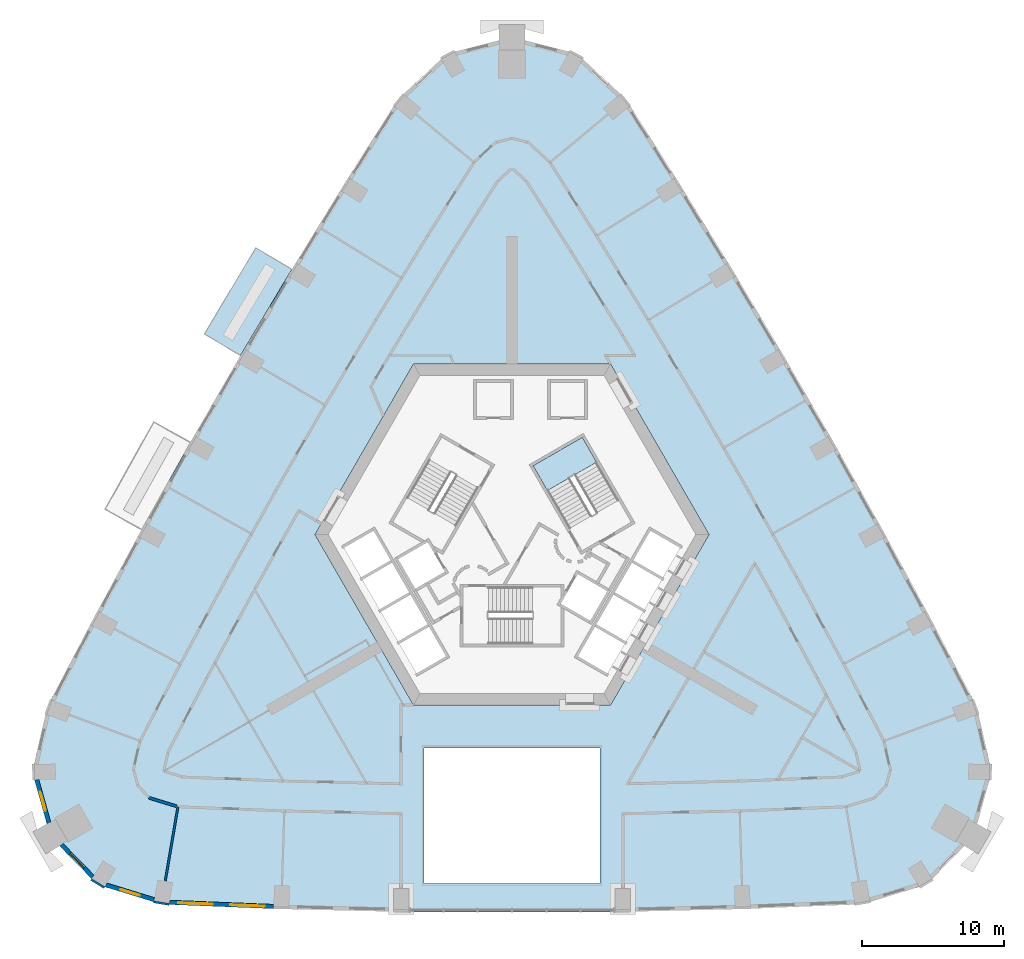
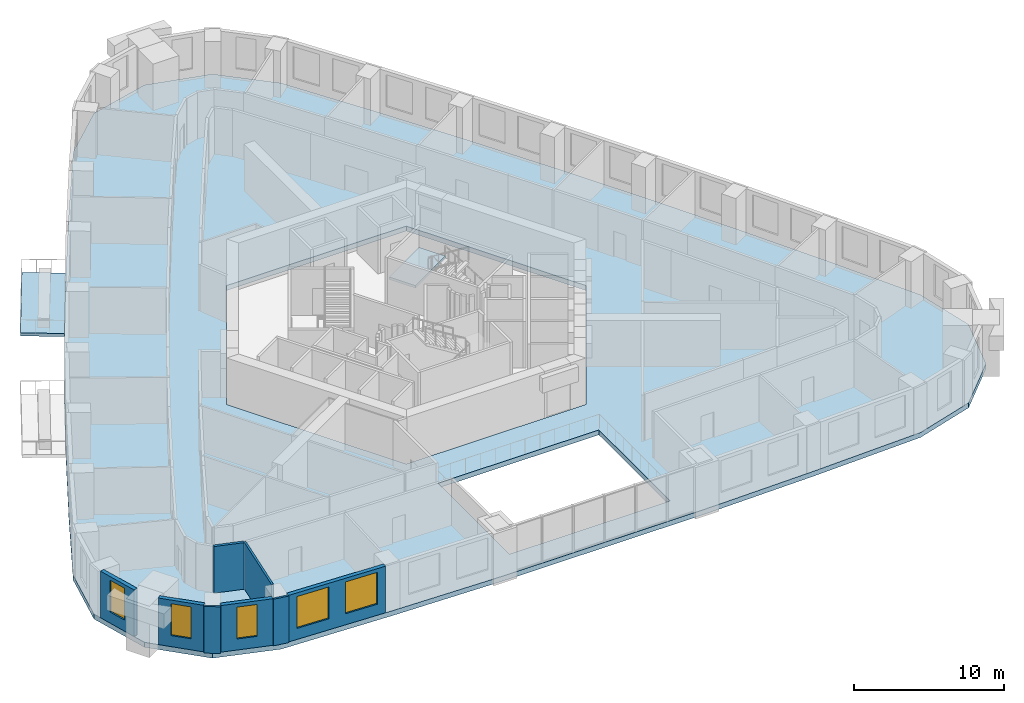
# One storey, part 3 of 14: 8 walls, 5 windows, 3 slabs, 5 openings, 1 element without a shape of its own.
"""IFC4 building model written with IfcOpenShell, lengths in metres."""

import ifcopenshell
import ifcopenshell.guid

model = None  # the IFC model being written
_history = None  # IfcOwnerHistory: only IFC2X3 demands one
_inside = {}  # id of a spatial element -> (the spatial element, [elements in it])
_under = {}  # id of a project, library or spatial element -> (it, [spatial elements below it])
_declared = {}  # id of a project -> (the project, [libraries it declares])
_typed = {}  # id of a type object -> (the type object, [elements of that type])
_made_of = {}  # id of a material, layer set ... -> (it, [elements and type objects made of it])


def new_model(schema):
    """Start an empty IFC model of exactly this schema.

    Asked for "IFC4X3", IfcOpenShell would pick the latest addendum, in which some entities
    have other attributes; the version numbers below select the first issue.
    IFC2X3 requires an IfcOwnerHistory on every rooted entity: one is made here for all.
    """
    global model, _history
    if schema == "IFC4X3":
        model = ifcopenshell.file(schema_version=(4, 3, 0, 0))
    else:
        model = ifcopenshell.file(schema=schema)
    _inside.clear()
    _under.clear()
    _declared.clear()
    _typed.clear()
    _made_of.clear()
    _history = None
    if model.schema == "IFC2X3":
        org = make("IfcOrganization", Name="unknown")
        user = make(
            "IfcPersonAndOrganization",
            ThePerson=make("IfcPerson", FamilyName="unknown"),
            TheOrganization=org,
        )
        app = make(
            "IfcApplication",
            ApplicationDeveloper=org,
            Version="unknown",
            ApplicationFullName="unknown",
            ApplicationIdentifier="unknown",
        )
        _history = make(
            "IfcOwnerHistory",
            OwningUser=user,
            OwningApplication=app,
            ChangeAction="ADDED",
            CreationDate=0,
        )
    return model


def make(cls, **values):
    """One entity of the class cls with the attributes given. An attribute that is None is left unset."""
    return model.create_entity(
        cls, **{name: value for name, value in values.items() if value is not None}
    )


def rooted(cls, **values):
    """An entity with a GlobalId (a new one), such as an element, a storey or a relation."""
    return make(cls, GlobalId=ifcopenshell.guid.new(), OwnerHistory=_history, **values)


def si_unit(unit_type, name, prefix=None):
    """IfcSIUnit, for example si_unit("LENGTHUNIT", "METRE", prefix="MILLI")."""
    return make("IfcSIUnit", UnitType=unit_type, Prefix=prefix, Name=name)


def assignment(units):
    """IfcUnitAssignment: the units of a project."""
    return None if units is None else make("IfcUnitAssignment", Units=units)


def point(xyz):
    """IfcCartesianPoint."""
    return None if xyz is None else make("IfcCartesianPoint", Coordinates=xyz)


def direction(xyz):
    """IfcDirection."""
    return None if xyz is None else make("IfcDirection", DirectionRatios=xyz)


def frame(location, z_axis=None, x_axis=None):
    """IfcAxis2Placement3D, a coordinate frame: its origin and axes. An axis left out is left unset."""
    return make(
        "IfcAxis2Placement3D",
        Location=point(location),
        Axis=direction(z_axis),
        RefDirection=direction(x_axis),
    )


def frame_2d(location, x_axis=None):
    """IfcAxis2Placement2D, a coordinate frame in the plane: its origin and x axis."""
    return make(
        "IfcAxis2Placement2D", Location=point(location), RefDirection=direction(x_axis)
    )


def origin():
    """The frame at (0, 0, 0) with its axes left unset."""
    return frame((0.0, 0.0, 0.0))


def place(relative_to, where):
    """IfcLocalPlacement: puts the frame where relative to a parent placement (None: the world)."""
    return make(
        "IfcLocalPlacement", PlacementRelTo=relative_to, RelativePlacement=where
    )


def context(
    kind, dimensions, precision=None, world=None, true_north=None, identifier=None
):
    """IfcGeometricRepresentationContext, for example the 3D "Model" context."""
    return make(
        "IfcGeometricRepresentationContext",
        ContextIdentifier=identifier,
        ContextType=kind,
        CoordinateSpaceDimension=dimensions,
        Precision=precision,
        WorldCoordinateSystem=world,
        TrueNorth=true_north,
    )


def subcontext(parent, identifier, kind, view, scale=None):
    """IfcGeometricRepresentationSubContext, for example "Body" below "Model"."""
    return make(
        "IfcGeometricRepresentationSubContext",
        ContextIdentifier=identifier,
        ContextType=kind,
        ParentContext=parent,
        TargetScale=scale,
        TargetView=view,
    )


def project(units=None, contexts=None):
    """IfcProject with its units and contexts."""
    return rooted(
        "IfcProject",
        Name="project",
        RepresentationContexts=contexts,
        UnitsInContext=assignment(units),
    )


def spatial(cls, under=None, at=None, **own):
    """A site, building, storey or space (cls), placed at a placement, below another one or the project."""
    s = rooted(cls, ObjectPlacement=at, **own)
    if under is not None:
        _under.setdefault(under.id(), (under, []))[1].append(s)
    return s


def polyline(points):
    """IfcPolyline through the points."""
    return make("IfcPolyline", Points=[point(p) for p in points])


def profile(cls, at=None, kind="AREA", **sizes):
    """A parametric profile (cls). Its sizes go by their IFC names, for example OverallWidth=200.0."""
    return make(cls, ProfileType=kind, Position=at, **sizes)


def rectangle(**sizes):
    """IfcRectangleProfileDef."""
    return profile("IfcRectangleProfileDef", **sizes)


def outline(outer, holes=None, kind="AREA"):
    """IfcArbitraryClosedProfileDef: a profile drawn as a closed curve; with holes, ...WithVoids."""
    if holes is None:
        return make("IfcArbitraryClosedProfileDef", ProfileType=kind, OuterCurve=outer)
    return make(
        "IfcArbitraryProfileDefWithVoids",
        ProfileType=kind,
        OuterCurve=outer,
        InnerCurves=holes,
    )


def extrude(swept, where, along, depth):
    """IfcExtrudedAreaSolid: the profile swept, set in the frame where, extruded along a direction by depth."""
    return make(
        "IfcExtrudedAreaSolid",
        SweptArea=swept,
        Position=where,
        ExtrudedDirection=direction(along),
        Depth=depth,
    )


def shape(context_of_items, identifier, shape_type, items):
    """IfcShapeRepresentation: the items that make up one representation, for example the "Body"."""
    return make(
        "IfcShapeRepresentation",
        ContextOfItems=context_of_items,
        RepresentationIdentifier=identifier,
        RepresentationType=shape_type,
        Items=items,
    )


def material(Name=None, Category=None):
    """IfcMaterial."""
    return make("IfcMaterial", Name=Name, Category=Category)


def layer(
    of_material, thickness, ventilated=None, Name=None, Category=None, Priority=None
):
    """IfcMaterialLayer: one layer of a wall or slab, of a material (None: an air gap)."""
    return make(
        "IfcMaterialLayer",
        Material=of_material,
        LayerThickness=thickness,
        IsVentilated=ventilated,
        Name=Name,
        Category=Category,
        Priority=Priority,
    )


def layer_set(layers, Name=None):
    """IfcMaterialLayerSet."""
    return make("IfcMaterialLayerSet", MaterialLayers=layers, LayerSetName=Name)


def made_of(thing, what):
    """Note that an element or type object is made of a material, layer set ...; save() writes the relation."""
    if what is not None:
        _made_of.setdefault(what.id(), (what, []))[1].append(thing)
    return thing


def type_object(cls, material=None, **own):
    """A type object (cls), such as IfcWallType, which elements share."""
    return made_of(rooted(cls, **own), material)


def element(
    cls,
    number,
    at=None,
    inside=None,
    cuts=None,
    type_object=None,
    material=None,
    context=None,
    identifier="Body",
    shape_type=None,
    held_by="IfcProductDefinitionShape",
    body=None,
    shapes=None,
    **own,
):
    """One element of the class cls, such as IfcWall. Its Tag is "e" and its number.

    at: its placement. inside: the storey or other place that contains it. cuts: it is an
    opening in that element (IfcRelVoidsElement). A single representation is given by context,
    identifier, shape_type and body (its items); several are given by shapes. held_by: the class
    of the entity that holds the representations. save() writes the other relations.
    """
    e = rooted(cls, Tag="e%d" % number, ObjectPlacement=at, **own)
    if body is not None:
        shapes = [shape(context, identifier, shape_type, body)]
    if shapes is not None:
        e.Representation = make(held_by, Representations=shapes)
    if inside is not None:
        _inside.setdefault(inside.id(), (inside, []))[1].append(e)
    if cuts is not None:
        rooted(
            "IfcRelVoidsElement", RelatingBuildingElement=cuts, RelatedOpeningElement=e
        )
    if type_object is not None:
        _typed.setdefault(type_object.id(), (type_object, []))[1].append(e)
    return made_of(e, material)


def fill(opening, filler):
    """IfcRelFillsElement: the door or window that sits in an opening."""
    return rooted(
        "IfcRelFillsElement",
        RelatingOpeningElement=opening,
        RelatedBuildingElement=filler,
    )


def aggregate(whole, parts):
    """IfcRelAggregates: a whole, such as a stair, and the parts it consists of."""
    return rooted("IfcRelAggregates", RelatingObject=whole, RelatedObjects=parts)


def save(model, path):
    """Write the relations noted so far, then the file.

    IfcRelAggregates (storeys below a building ...), IfcRelContainedInSpatialStructure (elements
    in a storey), IfcRelDefinesByType, IfcRelAssociatesMaterial and IfcRelDeclares: one each for
    every whole, place, type object, material and project.
    """
    for whole, parts in _under.values():
        aggregate(whole, parts)
    for where, things in _inside.values():
        rooted(
            "IfcRelContainedInSpatialStructure",
            RelatedElements=things,
            RelatingStructure=where,
        )
    for kind, things in _typed.values():
        rooted("IfcRelDefinesByType", RelatedObjects=things, RelatingType=kind)
    for what, things in _made_of.values():
        rooted("IfcRelAssociatesMaterial", RelatedObjects=things, RelatingMaterial=what)
    for by, libraries in _declared.values():
        rooted("IfcRelDeclares", RelatingContext=by, RelatedDefinitions=libraries)
    model.write(path)


model = new_model("IFC4")

# Units and contexts
model_context = context("Model", 3, precision=1e-05, world=origin(), true_north=direction((0.0, 1.0)))
body_context = subcontext(model_context, "Body", "Model", "MODEL_VIEW")
ifc_project = project(units=[si_unit("LENGTHUNIT", "METRE"), si_unit("AREAUNIT", "SQUARE_METRE"), si_unit("VOLUMEUNIT", "CUBIC_METRE"), si_unit("PLANEANGLEUNIT", "RADIAN"), si_unit("MASSUNIT", "GRAM", prefix="KILO")], contexts=[model_context])

# Site, building, storey
site_placement = place(None, origin())
site = spatial("IfcSite", under=ifc_project, at=site_placement, CompositionType="ELEMENT")
building_placement = place(site_placement, origin())
building = spatial("IfcBuilding", under=site, at=building_placement, Name="Entoto Arch Interchange Tower", CompositionType="ELEMENT")
storey_placement = place(building_placement, frame((0.0, 0.0, 146.60009765625)))
storey = spatial("IfcBuildingStorey", under=building, at=storey_placement, Name="L32", CompositionType="ELEMENT", Elevation=146.60009765625)

# Slab
ifc_material_1 = material(Name="Board-marked precast concrete C50/60", Category="concrete")
ifc_layer_1 = layer(ifc_material_1, 0.25)
ifc_layer_set_1 = layer_set([ifc_layer_1], Name="Board-marked precast concrete C50/60")
slab_type_1 = type_object("IfcSlabType", Name="BALCONY DECK PRECAST 250", PredefinedType="FLOOR", material=ifc_layer_set_1)
slab_1_placement = place(storey_placement, frame((0.0, 0.0, -0.25)))
element("IfcSlab", 1, at=slab_1_placement, inside=storey, type_object=slab_type_1, Name="Planted balcony NW-03 L32", PredefinedType="FLOOR", context=body_context, shape_type="SweptSolid", body=[
    extrude(outline(polyline([(-15.489013671875, 21.154052734375), (-19.097900390625, 15.096923828125), (-21.632080078125, 16.60693359375), (-18.02294921875, 22.6640625), (-15.489013671875, 21.154052734375)])), origin(), (0.0, 0.0, 1.0), 0.25),
])

# Stair, slab
ifc_material_2 = material(Name="Concrete C40/50", Category="concrete")
stair_type = type_object("IfcStairType", Name="EXIT STAIR RC 1800", PredefinedType="HALF_TURN_STAIR", material=ifc_material_2)
stair_placement = place(storey_placement, origin())
stair = element("IfcStair", 2, at=stair_placement, inside=storey, type_object=stair_type, Name="L32 Exit stair NE", PredefinedType="HALF_TURN_STAIR")
ifc_layer_2 = layer(ifc_material_2, 0.199951171875)
ifc_layer_set_2 = layer_set([ifc_layer_2], Name="Concrete C40/50")
slab_type_2 = type_object("IfcSlabType", Name="EXIT STAIR LANDING RC 200", PredefinedType="LANDING", material=ifc_layer_set_2)
slab_2_placement = place(storey_placement, frame((0.0, 0.0, 1.89990234375)))
slab_2 = element("IfcSlab", 3, at=slab_2_placement, type_object=slab_type_2, Name="ST-NE landing 1", PredefinedType="LANDING", context=body_context, shape_type="SweptSolid", body=[
    extrude(outline(polyline([(5.953369140625, 7.58837890625), (4.943359375, 9.337890625), (1.479248046875, 7.337890625), (2.4892578125, 5.58837890625), (5.953369140625, 7.58837890625)])), origin(), (0.0, 0.0, 1.0), 0.199951171875),
])
aggregate(stair, [slab_2])

# Slab
ifc_layer_3 = layer(ifc_material_2, 0.39990234375)
ifc_layer_set_3 = layer_set([ifc_layer_3], Name="Concrete C40/50")
slab_type_3 = type_object("IfcSlabType", Name="Post-tensioned flat plate 400 C40/50", PredefinedType="FLOOR", material=ifc_layer_set_3)
slab_3_placement = place(storey_placement, frame((0.0, 0.0, -0.400146484375)))
element("IfcSlab", 4, at=slab_3_placement, inside=storey, type_object=slab_type_3, Name="Floor slab L32", PredefinedType="FLOOR", context=body_context, shape_type="SweptSolid", body=[
    extrude(outline(polyline([(-24.6689453125, -23.5048828125), (-16.23388671875, -23.842041015625), (-7.800048828125, -24.041015625), (7.800048828125, -24.041015625), (16.23388671875, -23.842041015625), (24.6689453125, -23.5048828125), (29.176025390625, -22.1201171875), (32.469970703125, -18.74609375), (33.7451171875, -14.20703125), (32.68994140625, -9.611083984375), (29.419921875, -3.364990234375), (26.06396484375, 2.8369140625), (22.623046875, 8.990966796875), (19.097900390625, 15.096923828125), (15.489013671875, 21.154052734375), (11.7958984375, 27.160888671875), (8.02099609375, 33.115966796875), (4.569091796875, 36.326904296875), (0.0, 37.492919921875), (-4.569091796875, 36.326904296875), (-8.02099609375, 33.115966796875), (-11.7958984375, 27.160888671875), (-15.489013671875, 21.154052734375), (-19.097900390625, 15.096923828125), (-22.623046875, 8.990966796875), (-26.06396484375, 2.8369140625), (-29.419921875, -3.364990234375), (-32.68994140625, -9.611083984375), (-33.7451171875, -14.20703125), (-32.469970703125, -18.74609375), (-29.176025390625, -22.1201171875), (-24.6689453125, -23.5048828125)]), holes=[polyline([(6.199951171875, -22.041015625), (6.199951171875, -12.5), (-6.199951171875, -12.5), (-6.199951171875, -22.041015625), (6.199951171875, -22.041015625)]), polyline([(13.85595703125, 2.5), (6.927978515625, 14.5), (-6.927978515625, 14.5), (-13.85595703125, 2.5), (-6.927978515625, -9.5), (6.927978515625, -9.5), (13.85595703125, 2.5)])]), origin(), (0.0, 0.0, 1.0), 0.400146484375),
])

# Walls
ifc_material_3 = material(Name="Gypsum board partition on steel studs", Category="steel")
ifc_layer_4 = layer(ifc_material_3, 0.14990234375)
ifc_layer_set_4 = layer_set([ifc_layer_4], Name="Gypsum board partition on steel studs")
wall_type_1 = type_object("IfcWallType", Name="PARTITION 150", PredefinedType="PARTITIONING", material=ifc_layer_set_4)
wall_1_placement = place(storey_placement, frame((-23.498046875, -16.64599609375, 0.0), z_axis=(0.0, 0.0, 1.0), x_axis=(-0.168275674737, -0.985739974482, 0.0)))
element("IfcWall", 5, at=wall_1_placement, inside=storey, type_object=wall_type_1, Name="wall:L32:p138", PredefinedType="PARTITIONING", context=body_context, shape_type="SweptSolid", body=[
    extrude(rectangle(XDim=5.288330078125, YDim=0.14990234375, at=frame_2d((2.64404296875, 0.0))), origin(), (0.0, 0.0, 1.0), 3.7998046875),
])
ifc_layer_5 = layer(ifc_material_3, 0.199951171875)
ifc_layer_set_5 = layer_set([ifc_layer_5], Name="Gypsum board partition on steel studs")
wall_type_2 = type_object("IfcWallType", Name="PARTITION 200", PredefinedType="PARTITIONING", material=ifc_layer_set_5)
wall_2_placement = place(storey_placement, frame((-23.593994140625, -16.616943359375, 0.0), z_axis=(0.0, 0.0, 1.0), x_axis=(-0.955896815358, 0.293702704087, 0.0)))
element("IfcWall", 6, at=wall_2_placement, inside=storey, type_object=wall_type_2, Name="wall:L32:p060", PredefinedType="PARTITIONING", context=body_context, shape_type="SweptSolid", body=[
    extrude(rectangle(XDim=2.059814453125, YDim=0.199951171875, at=frame_2d((1.02978515625, 0.0))), origin(), (0.0, 0.0, 1.0), 3.7998046875),
])

# Wall, openings, windows
ifc_material_4 = material(Name="Welded tuff (ignimbrite) cladding, warm buff", Category="masonry")
ifc_layer_6 = layer(ifc_material_4, 0.300048828125)
ifc_layer_set_6 = layer_set([ifc_layer_6], Name="Welded tuff (ignimbrite) cladding, warm buff")
wall_type_3 = type_object("IfcWallType", Name="STONE INFILL WALL 300", PredefinedType="STANDARD", material=ifc_layer_set_6)
wall_3_placement = place(storey_placement, frame((-24.090087890625, -23.3779296875, 0.0), z_axis=(0.0, 0.0, 1.0), x_axis=(0.999203621229, -0.039901420066, 0.0)))
wall_3 = element("IfcWall", 7, at=wall_3_placement, inside=storey, type_object=wall_type_3, Name="Facade wall S-01 L32", PredefinedType="STANDARD", context=body_context, shape_type="SweptSolid", body=[
    extrude(rectangle(XDim=7.31787109375, YDim=0.300048828125, at=frame_2d((3.658935546875, 0.0))), origin(), (0.0, 0.0, 1.0), 3.7998046875),
])
opening_1_placement = place(wall_3_placement, frame((0.62890625, 0.0, 0.89990234375)))
opening_1 = element("IfcOpeningElement", 8, at=opening_1_placement, cuts=wall_3, Name="Opening WO-A", PredefinedType="OPENING", context=body_context, shape_type="SweptSolid", body=[
    extrude(rectangle(XDim=2.39990234375, YDim=2.60009765625, at=frame_2d((1.199951171875, 1.300048828125))), frame((0.0, 0.16015625, 0.0), z_axis=(0.0, -1.0, 0.0), x_axis=(1.0, 0.0, 0.0)), (0.0, 0.0, 1.0), 0.320068359375),
])
opening_2_placement = place(wall_3_placement, frame((4.2880859375, 0.0, 0.89990234375)))
opening_2 = element("IfcOpeningElement", 9, at=opening_2_placement, cuts=wall_3, Name="Opening WO-A", PredefinedType="OPENING", context=body_context, shape_type="SweptSolid", body=[
    extrude(rectangle(XDim=2.39990234375, YDim=2.60009765625, at=frame_2d((1.199951171875, 1.300048828125))), frame((0.0, 0.16015625, 0.0), z_axis=(0.0, -1.0, 0.0), x_axis=(1.0, 0.0, 0.0)), (0.0, 0.0, 1.0), 0.320068359375),
])
ifc_material_5 = material(Name="Clear glass, low-e double glazed", Category="glass")
window_type_1 = type_object("IfcWindowType", Name="WINDOW WO-A 2400x2600", PartitioningType="DOUBLE_PANEL_VERTICAL", PredefinedType="WINDOW", material=ifc_material_5)
window_1_placement = place(opening_1_placement, origin())
window_1 = element("IfcWindow", 10, at=window_1_placement, inside=storey, type_object=window_type_1, Name="Window WO-A S-01 L32", OverallHeight=2.60009765625, OverallWidth=2.39990234375, PartitioningType="SINGLE_PANEL", PredefinedType="WINDOW", context=body_context, shape_type="SweptSolid", body=[
    extrude(rectangle(XDim=2.39990234375, YDim=2.60009765625, at=frame_2d((1.199951171875, 1.300048828125))), frame((0.0, 0.030029296875, 0.0), z_axis=(0.0, -1.0, 0.0), x_axis=(1.0, 0.0, 0.0)), (0.0, 0.0, 1.0), 0.06005859375),
])
fill(opening_1, window_1)
window_2_placement = place(opening_2_placement, origin())
window_2 = element("IfcWindow", 11, at=window_2_placement, inside=storey, type_object=window_type_1, Name="Window WO-A S-01 L32", OverallHeight=2.60009765625, OverallWidth=2.39990234375, PartitioningType="SINGLE_PANEL", PredefinedType="WINDOW", context=body_context, shape_type="SweptSolid", body=[
    extrude(rectangle(XDim=2.39990234375, YDim=2.60009765625, at=frame_2d((1.199951171875, 1.300048828125))), frame((0.0, 0.030029296875, 0.0), z_axis=(0.0, -1.0, 0.0), x_axis=(1.0, 0.0, 0.0)), (0.0, 0.0, 1.0), 0.06005859375),
])
fill(opening_2, window_2)

# Wall, opening, window
wall_4_placement = place(storey_placement, frame((-33.43701171875, -14.7490234375, 0.0), z_axis=(0.0, 0.0, 1.0), x_axis=(0.270471130801, -0.962728085912, 0.0)))
wall_4 = element("IfcWall", 12, at=wall_4_placement, inside=storey, type_object=wall_type_3, Name="Facade wall SW-02 L32", PredefinedType="STANDARD", context=body_context, shape_type="SweptSolid", body=[
    extrude(rectangle(XDim=3.14306640625, YDim=0.300048828125, at=frame_2d((1.571533203125, 0.0))), origin(), (0.0, 0.0, 1.0), 3.7998046875),
])
opening_3_placement = place(wall_4_placement, frame((0.8720703125, 0.0, 0.89990234375)))
opening_3 = element("IfcOpeningElement", 13, at=opening_3_placement, cuts=wall_4, Name="Opening WO-B", PredefinedType="OPENING", context=body_context, shape_type="SweptSolid", body=[
    extrude(rectangle(XDim=1.39990234375, YDim=2.60009765625, at=frame_2d((0.699951171875, 1.300048828125))), frame((0.0, 0.16015625, 0.0), z_axis=(0.0, -1.0, 0.0), x_axis=(1.0, 0.0, 0.0)), (0.0, 0.0, 1.0), 0.320068359375),
])
window_type_2 = type_object("IfcWindowType", Name="WINDOW WO-B 1400x2600", PartitioningType="DOUBLE_PANEL_VERTICAL", PredefinedType="WINDOW", material=ifc_material_5)
window_3_placement = place(opening_3_placement, origin())
window_3 = element("IfcWindow", 14, at=window_3_placement, inside=storey, type_object=window_type_2, Name="Window WO-B SW-02 L32", OverallHeight=2.60009765625, OverallWidth=1.39990234375, PartitioningType="SINGLE_PANEL", PredefinedType="WINDOW", context=body_context, shape_type="SweptSolid", body=[
    extrude(rectangle(XDim=1.39990234375, YDim=2.60009765625, at=frame_2d((0.699951171875, 1.300048828125))), frame((0.0, 0.030029296875, 0.0), z_axis=(0.0, -1.0, 0.0), x_axis=(1.0, 0.0, 0.0)), (0.0, 0.0, 1.0), 0.06005859375),
])
fill(opening_3, window_3)

wall_5_placement = place(storey_placement, frame((-31.68798828125, -19.33203125, 0.0), z_axis=(0.0, 0.0, 1.0), x_axis=(0.698633260198, -0.715479956215, 0.0)))
wall_5 = element("IfcWall", 15, at=wall_5_placement, inside=storey, type_object=wall_type_3, Name="Facade wall SW-03 L32", PredefinedType="STANDARD", context=body_context, shape_type="SweptSolid", body=[
    extrude(rectangle(XDim=3.144775390625, YDim=0.300048828125, at=frame_2d((1.572265625, 0.0))), origin(), (0.0, 0.0, 1.0), 3.7998046875),
])
opening_4_placement = place(wall_5_placement, frame((0.8720703125, 0.0, 0.89990234375)))
opening_4 = element("IfcOpeningElement", 16, at=opening_4_placement, cuts=wall_5, Name="Opening WO-B", PredefinedType="OPENING", context=body_context, shape_type="SweptSolid", body=[
    extrude(rectangle(XDim=1.39990234375, YDim=2.60009765625, at=frame_2d((0.699951171875, 1.300048828125))), frame((0.0, 0.16015625, 0.0), z_axis=(0.0, -1.0, 0.0), x_axis=(1.0, 0.0, 0.0)), (0.0, 0.0, 1.0), 0.320068359375),
])
window_4_placement = place(opening_4_placement, origin())
window_4 = element("IfcWindow", 17, at=window_4_placement, inside=storey, type_object=window_type_2, Name="Window WO-B SW-03 L32", OverallHeight=2.60009765625, OverallWidth=1.39990234375, PartitioningType="SINGLE_PANEL", PredefinedType="WINDOW", context=body_context, shape_type="SweptSolid", body=[
    extrude(rectangle(XDim=1.39990234375, YDim=2.60009765625, at=frame_2d((0.699951171875, 1.300048828125))), frame((0.0, 0.030029296875, 0.0), z_axis=(0.0, -1.0, 0.0), x_axis=(1.0, 0.0, 0.0)), (0.0, 0.0, 1.0), 0.06005859375),
])
fill(opening_4, window_4)

wall_6_placement = place(storey_placement, frame((-28.553955078125, -22.154052734375, 0.0), z_axis=(0.0, 0.0, 1.0), x_axis=(0.955874475611, -0.293775402094, 0.0)))
wall_6 = element("IfcWall", 18, at=wall_6_placement, inside=storey, type_object=wall_type_3, Name="Facade wall SW-04 L32", PredefinedType="STANDARD", context=body_context, shape_type="SweptSolid", body=[
    extrude(rectangle(XDim=3.536865234375, YDim=0.300048828125, at=frame_2d((1.7685546875, 0.0))), origin(), (0.0, 0.0, 1.0), 3.7998046875),
])
opening_5_placement = place(wall_6_placement, frame((1.069091796875, 0.0, 0.89990234375)))
opening_5 = element("IfcOpeningElement", 19, at=opening_5_placement, cuts=wall_6, Name="Opening WO-B", PredefinedType="OPENING", context=body_context, shape_type="SweptSolid", body=[
    extrude(rectangle(XDim=1.39990234375, YDim=2.60009765625, at=frame_2d((0.699951171875, 1.300048828125))), frame((0.0, 0.16015625, 0.0), z_axis=(0.0, -1.0, 0.0), x_axis=(1.0, 0.0, 0.0)), (0.0, 0.0, 1.0), 0.320068359375),
])
window_5_placement = place(opening_5_placement, origin())
window_5 = element("IfcWindow", 20, at=window_5_placement, inside=storey, type_object=window_type_2, Name="Window WO-B SW-04 L32", OverallHeight=2.60009765625, OverallWidth=1.39990234375, PartitioningType="SINGLE_PANEL", PredefinedType="WINDOW", context=body_context, shape_type="SweptSolid", body=[
    extrude(rectangle(XDim=1.39990234375, YDim=2.60009765625, at=frame_2d((0.699951171875, 1.300048828125))), frame((0.0, 0.030029296875, 0.0), z_axis=(0.0, -1.0, 0.0), x_axis=(1.0, 0.0, 0.0)), (0.0, 0.0, 1.0), 0.06005859375),
])
fill(opening_5, window_5)

# Walls
ifc_layer_7 = layer(ifc_material_4, 0.14990234375)
ifc_layer_set_7 = layer_set([ifc_layer_7], Name="Welded tuff (ignimbrite) cladding, warm buff")
wall_type_4 = type_object("IfcWallType", Name="STONE PIER CLADDING 150", PredefinedType="STANDARD", material=ifc_layer_set_7)
wall_7_placement = place(storey_placement, frame((-25.198974609375, -23.339111328125, 0.0), z_axis=(0.0, 0.0, 1.0), x_axis=(0.985800082077, -0.167923191299, 0.0)))
element("IfcWall", 21, at=wall_7_placement, inside=storey, type_object=wall_type_4, Name="Stone pier S01 L32", PredefinedType="STANDARD", context=body_context, shape_type="SweptSolid", body=[
    extrude(rectangle(XDim=1.1005859375, YDim=0.14990234375, at=frame_2d((0.55029296875, 0.0))), origin(), (0.0, 0.0, 1.0), 3.7998046875),
])
wall_8_placement = place(storey_placement, frame((-29.60595703125, -21.77001953125, 0.0), z_axis=(0.0, 0.0, 1.0), x_axis=(0.854005542721, -0.520263907071, 0.0)))
element("IfcWall", 22, at=wall_8_placement, inside=storey, type_object=wall_type_4, Name="Stone pier SW3 L32", PredefinedType="STANDARD", context=body_context, shape_type="SweptSolid", body=[
    extrude(rectangle(XDim=1.099365234375, YDim=0.14990234375, at=frame_2d((0.5498046875, 0.0))), origin(), (0.0, 0.0, 1.0), 3.7998046875),
])

save(model, "model.ifc")
